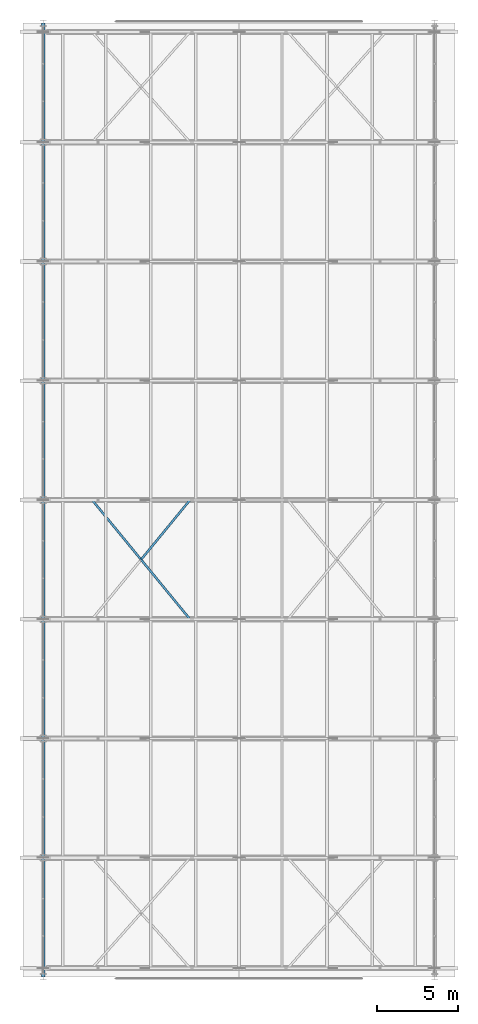
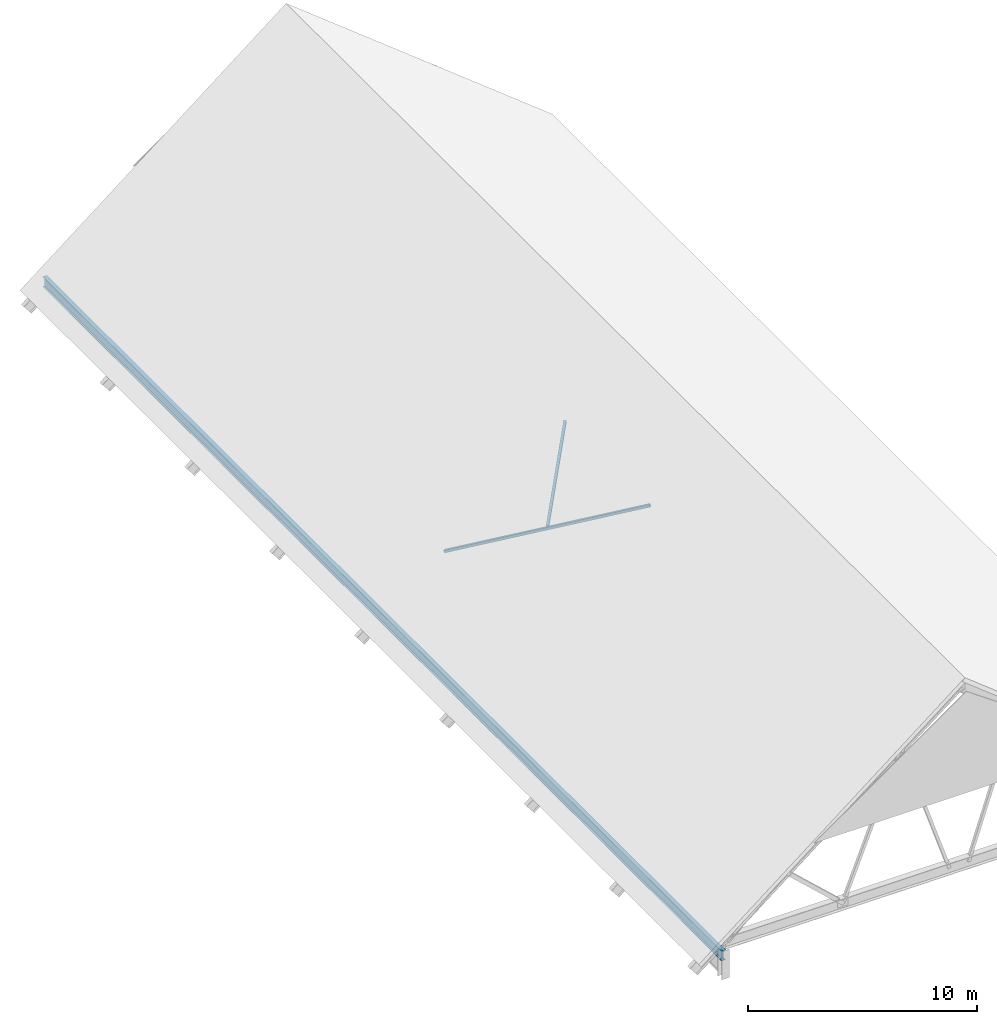
# One storey, part 15 of 44: 2 members, 1 beam.
"""IFC4 building model written with IfcOpenShell, lengths in metres."""

from ifc_helpers import new_model, si_unit, direction, frame, origin, origin_2d, place, context, subcontext, project, spatial, hollow_rectangle, i_section, extrude, material, material_profile, profile_set, type_object, element, save


model = new_model("IFC4")

# Units and contexts
model_context = context("Model", 3, precision=1e-05, world=origin(), true_north=direction((0.0, 1.0)))
body_context = subcontext(model_context, "Body", "Model", "MODEL_VIEW")
ifc_project = project(units=[si_unit("LENGTHUNIT", "METRE"), si_unit("AREAUNIT", "SQUARE_METRE"), si_unit("VOLUMEUNIT", "CUBIC_METRE"), si_unit("PLANEANGLEUNIT", "RADIAN"), si_unit("MASSUNIT", "GRAM", prefix="KILO")], contexts=[model_context])

# Site, building, storey
site_placement = place(None, origin())
site = spatial("IfcSite", under=ifc_project, at=site_placement, CompositionType="ELEMENT")
building_placement = place(site_placement, origin())
building = spatial("IfcBuilding", under=site, at=building_placement, Name="Cimatlan Art Gallery", CompositionType="ELEMENT")
storey_placement = place(building_placement, frame((0.0, 0.0, 26.39990234375)))
storey = spatial("IfcBuildingStorey", under=building, at=storey_placement, Name="Roof", CompositionType="ELEMENT", Elevation=26.39990234375)

# Beam
ifc_material_1 = material(Name="Steel ASTM A992 Grade 50", Category="steel")
ifc_material_profile_1 = material_profile(ifc_material_1, i_section(OverallWidth=0.2099609375, OverallDepth=0.532958984375, WebThickness=0.01025390625, FlangeThickness=0.015625, at=origin_2d()), Name="W21X62")
ifc_profile_set_1 = profile_set([ifc_material_profile_1], Name="Steel ASTM A992 Grade 50")
beam_type = type_object("IfcBeamType", Name="BM-STL-W21X62", PredefinedType="BEAM", material=ifc_profile_set_1)
beam_placement = place(storey_placement, frame((74.89990234375, 23.89990234375, 1.130126953125), z_axis=(0.0, 1.0, 0.0), x_axis=(-1.0, 0.0, 0.0)))
element("IfcBeam", 1, at=beam_placement, inside=storey, type_object=beam_type, Name="BM-CRW-EAVE-W", PredefinedType="BEAM", context=body_context, shape_type="SweptSolid", body=[
    extrude(i_section(OverallWidth=0.2099609375, OverallDepth=0.532958984375, WebThickness=0.01025390625, FlangeThickness=0.015625, at=origin_2d()), origin(), (0.0, 0.0, 1.0), 59.2001953125),
])

# Members
ifc_material_2 = material(Name="Steel ASTM A500 Grade C", Category="steel")
ifc_material_profile_2 = material_profile(ifc_material_2, hollow_rectangle(XDim=0.1298828125, YDim=0.1298828125, WallThickness=0.008056640625, at=origin_2d()), Name="HSS130X130X8")
ifc_profile_set_2 = profile_set([ifc_material_profile_2], Name="Steel ASTM A500 Grade C")
member_type = type_object("IfcMemberType", Name="MBR-TRS-BRACE", PredefinedType="BRACE", material=ifc_profile_set_2)
member_1_placement = place(storey_placement, frame((84.012451171875, 46.10009765625, 8.440185546875), z_axis=(-0.567222442436, 0.690934060613, -0.448183918367), x_axis=(-0.772907578502, -0.634518616822, 0.0)))
element("IfcMember", 2, at=member_1_placement, inside=storey, type_object=member_type, Name="BRC-V1-B4-W1", PredefinedType="BRACE", context=body_context, shape_type="SweptSolid", body=[
    extrude(hollow_rectangle(XDim=0.1298828125, YDim=0.1298828125, WallThickness=0.008056640625, at=origin_2d()), origin(), (0.0, 0.0, 1.0), 10.7099609375),
])
member_2_placement = place(storey_placement, frame((81.011962890625, 49.844970703125, 6.069091796875), z_axis=(0.567198485816, 0.690929904894, 0.448220642331), x_axis=(-0.772918849774, 0.63450488703, 0.0)))
element("IfcMember", 3, at=member_2_placement, inside=storey, type_object=member_type, Name="BRC-V1-B4-W2B", PredefinedType="BRACE", context=body_context, shape_type="SweptSolid", body=[
    extrude(hollow_rectangle(XDim=0.1298828125, YDim=0.1298828125, WallThickness=0.008056640625, at=origin_2d()), origin(), (0.0, 0.0, 1.0), 5.2900390625),
])

save(model, "model.ifc")
